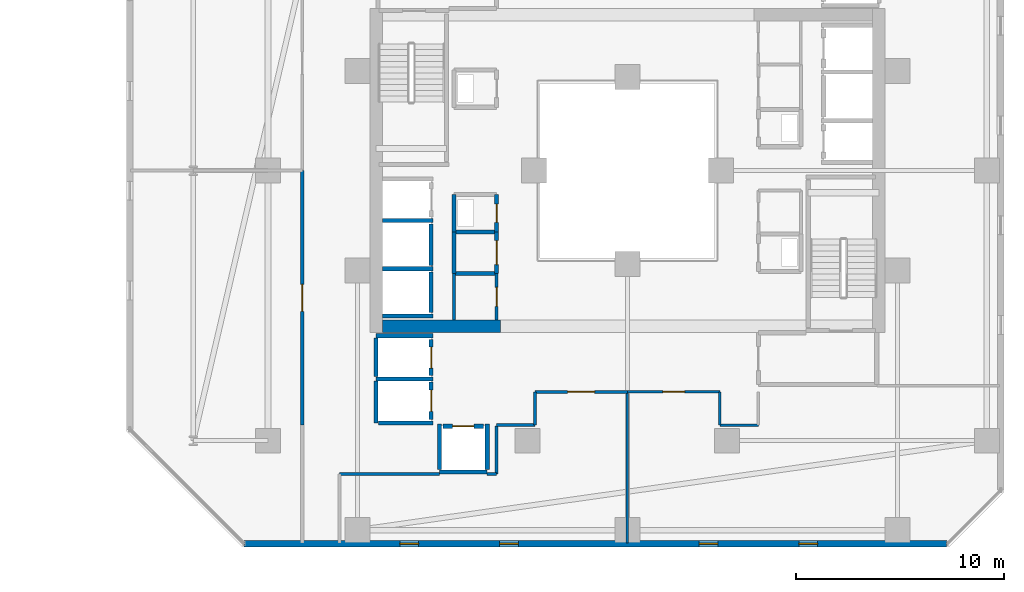
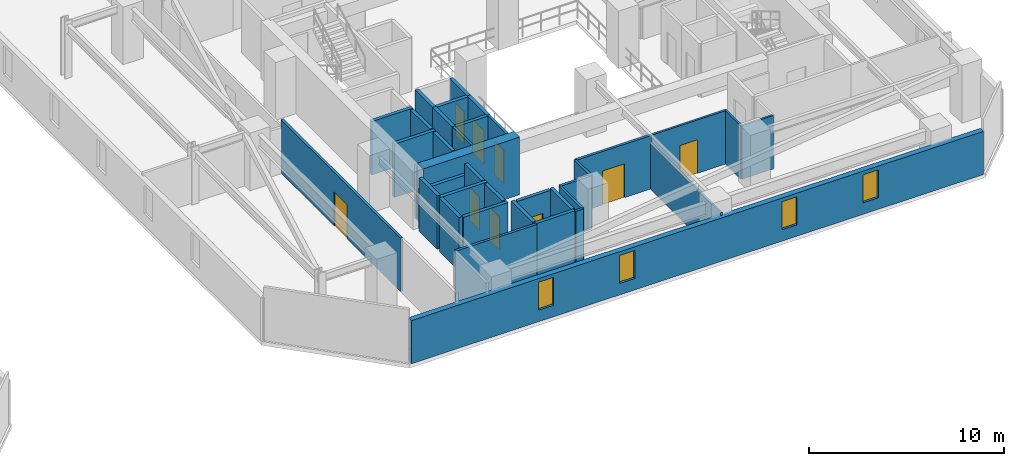
# One storey, part 20 of 29: 37 walls, 9 doors, 4 windows, 13 openings.
"""IFC4 building model written with IfcOpenShell, lengths in metres."""

import ifcopenshell
import ifcopenshell.guid

model = None  # the IFC model being written
_history = None  # IfcOwnerHistory: only IFC2X3 demands one
_inside = {}  # id of a spatial element -> (the spatial element, [elements in it])
_under = {}  # id of a project, library or spatial element -> (it, [spatial elements below it])
_declared = {}  # id of a project -> (the project, [libraries it declares])
_typed = {}  # id of a type object -> (the type object, [elements of that type])
_made_of = {}  # id of a material, layer set ... -> (it, [elements and type objects made of it])


def new_model(schema):
    """Start an empty IFC model of exactly this schema.

    Asked for "IFC4X3", IfcOpenShell would pick the latest addendum, in which some entities
    have other attributes; the version numbers below select the first issue.
    IFC2X3 requires an IfcOwnerHistory on every rooted entity: one is made here for all.
    """
    global model, _history
    if schema == "IFC4X3":
        model = ifcopenshell.file(schema_version=(4, 3, 0, 0))
    else:
        model = ifcopenshell.file(schema=schema)
    _inside.clear()
    _under.clear()
    _declared.clear()
    _typed.clear()
    _made_of.clear()
    _history = None
    if model.schema == "IFC2X3":
        org = make("IfcOrganization", Name="unknown")
        user = make(
            "IfcPersonAndOrganization",
            ThePerson=make("IfcPerson", FamilyName="unknown"),
            TheOrganization=org,
        )
        app = make(
            "IfcApplication",
            ApplicationDeveloper=org,
            Version="unknown",
            ApplicationFullName="unknown",
            ApplicationIdentifier="unknown",
        )
        _history = make(
            "IfcOwnerHistory",
            OwningUser=user,
            OwningApplication=app,
            ChangeAction="ADDED",
            CreationDate=0,
        )
    return model


def make(cls, **values):
    """One entity of the class cls with the attributes given. An attribute that is None is left unset."""
    return model.create_entity(
        cls, **{name: value for name, value in values.items() if value is not None}
    )


def rooted(cls, **values):
    """An entity with a GlobalId (a new one), such as an element, a storey or a relation."""
    return make(cls, GlobalId=ifcopenshell.guid.new(), OwnerHistory=_history, **values)


def si_unit(unit_type, name, prefix=None):
    """IfcSIUnit, for example si_unit("LENGTHUNIT", "METRE", prefix="MILLI")."""
    return make("IfcSIUnit", UnitType=unit_type, Prefix=prefix, Name=name)


def assignment(units):
    """IfcUnitAssignment: the units of a project."""
    return None if units is None else make("IfcUnitAssignment", Units=units)


def point(xyz):
    """IfcCartesianPoint."""
    return None if xyz is None else make("IfcCartesianPoint", Coordinates=xyz)


def direction(xyz):
    """IfcDirection."""
    return None if xyz is None else make("IfcDirection", DirectionRatios=xyz)


def frame(location, z_axis=None, x_axis=None):
    """IfcAxis2Placement3D, a coordinate frame: its origin and axes. An axis left out is left unset."""
    return make(
        "IfcAxis2Placement3D",
        Location=point(location),
        Axis=direction(z_axis),
        RefDirection=direction(x_axis),
    )


def frame_2d(location, x_axis=None):
    """IfcAxis2Placement2D, a coordinate frame in the plane: its origin and x axis."""
    return make(
        "IfcAxis2Placement2D", Location=point(location), RefDirection=direction(x_axis)
    )


def origin():
    """The frame at (0, 0, 0) with its axes left unset."""
    return frame((0.0, 0.0, 0.0))


def place(relative_to, where):
    """IfcLocalPlacement: puts the frame where relative to a parent placement (None: the world)."""
    return make(
        "IfcLocalPlacement", PlacementRelTo=relative_to, RelativePlacement=where
    )


def context(
    kind, dimensions, precision=None, world=None, true_north=None, identifier=None
):
    """IfcGeometricRepresentationContext, for example the 3D "Model" context."""
    return make(
        "IfcGeometricRepresentationContext",
        ContextIdentifier=identifier,
        ContextType=kind,
        CoordinateSpaceDimension=dimensions,
        Precision=precision,
        WorldCoordinateSystem=world,
        TrueNorth=true_north,
    )


def subcontext(parent, identifier, kind, view, scale=None):
    """IfcGeometricRepresentationSubContext, for example "Body" below "Model"."""
    return make(
        "IfcGeometricRepresentationSubContext",
        ContextIdentifier=identifier,
        ContextType=kind,
        ParentContext=parent,
        TargetScale=scale,
        TargetView=view,
    )


def project(units=None, contexts=None):
    """IfcProject with its units and contexts."""
    return rooted(
        "IfcProject",
        Name="project",
        RepresentationContexts=contexts,
        UnitsInContext=assignment(units),
    )


def spatial(cls, under=None, at=None, **own):
    """A site, building, storey or space (cls), placed at a placement, below another one or the project."""
    s = rooted(cls, ObjectPlacement=at, **own)
    if under is not None:
        _under.setdefault(under.id(), (under, []))[1].append(s)
    return s


def profile(cls, at=None, kind="AREA", **sizes):
    """A parametric profile (cls). Its sizes go by their IFC names, for example OverallWidth=200.0."""
    return make(cls, ProfileType=kind, Position=at, **sizes)


def rectangle(**sizes):
    """IfcRectangleProfileDef."""
    return profile("IfcRectangleProfileDef", **sizes)


def extrude(swept, where, along, depth):
    """IfcExtrudedAreaSolid: the profile swept, set in the frame where, extruded along a direction by depth."""
    return make(
        "IfcExtrudedAreaSolid",
        SweptArea=swept,
        Position=where,
        ExtrudedDirection=direction(along),
        Depth=depth,
    )


def shape(context_of_items, identifier, shape_type, items):
    """IfcShapeRepresentation: the items that make up one representation, for example the "Body"."""
    return make(
        "IfcShapeRepresentation",
        ContextOfItems=context_of_items,
        RepresentationIdentifier=identifier,
        RepresentationType=shape_type,
        Items=items,
    )


def material(Name=None, Category=None):
    """IfcMaterial."""
    return make("IfcMaterial", Name=Name, Category=Category)


def layer(
    of_material, thickness, ventilated=None, Name=None, Category=None, Priority=None
):
    """IfcMaterialLayer: one layer of a wall or slab, of a material (None: an air gap)."""
    return make(
        "IfcMaterialLayer",
        Material=of_material,
        LayerThickness=thickness,
        IsVentilated=ventilated,
        Name=Name,
        Category=Category,
        Priority=Priority,
    )


def layer_set(layers, Name=None):
    """IfcMaterialLayerSet."""
    return make("IfcMaterialLayerSet", MaterialLayers=layers, LayerSetName=Name)


def made_of(thing, what):
    """Note that an element or type object is made of a material, layer set ...; save() writes the relation."""
    if what is not None:
        _made_of.setdefault(what.id(), (what, []))[1].append(thing)
    return thing


def type_object(cls, material=None, **own):
    """A type object (cls), such as IfcWallType, which elements share."""
    return made_of(rooted(cls, **own), material)


def element(
    cls,
    number,
    at=None,
    inside=None,
    cuts=None,
    type_object=None,
    material=None,
    context=None,
    identifier="Body",
    shape_type=None,
    held_by="IfcProductDefinitionShape",
    body=None,
    shapes=None,
    **own,
):
    """One element of the class cls, such as IfcWall. Its Tag is "e" and its number.

    at: its placement. inside: the storey or other place that contains it. cuts: it is an
    opening in that element (IfcRelVoidsElement). A single representation is given by context,
    identifier, shape_type and body (its items); several are given by shapes. held_by: the class
    of the entity that holds the representations. save() writes the other relations.
    """
    e = rooted(cls, Tag="e%d" % number, ObjectPlacement=at, **own)
    if body is not None:
        shapes = [shape(context, identifier, shape_type, body)]
    if shapes is not None:
        e.Representation = make(held_by, Representations=shapes)
    if inside is not None:
        _inside.setdefault(inside.id(), (inside, []))[1].append(e)
    if cuts is not None:
        rooted(
            "IfcRelVoidsElement", RelatingBuildingElement=cuts, RelatedOpeningElement=e
        )
    if type_object is not None:
        _typed.setdefault(type_object.id(), (type_object, []))[1].append(e)
    return made_of(e, material)


def fill(opening, filler):
    """IfcRelFillsElement: the door or window that sits in an opening."""
    return rooted(
        "IfcRelFillsElement",
        RelatingOpeningElement=opening,
        RelatedBuildingElement=filler,
    )


def aggregate(whole, parts):
    """IfcRelAggregates: a whole, such as a stair, and the parts it consists of."""
    return rooted("IfcRelAggregates", RelatingObject=whole, RelatedObjects=parts)


def save(model, path):
    """Write the relations noted so far, then the file.

    IfcRelAggregates (storeys below a building ...), IfcRelContainedInSpatialStructure (elements
    in a storey), IfcRelDefinesByType, IfcRelAssociatesMaterial and IfcRelDeclares: one each for
    every whole, place, type object, material and project.
    """
    for whole, parts in _under.values():
        aggregate(whole, parts)
    for where, things in _inside.values():
        rooted(
            "IfcRelContainedInSpatialStructure",
            RelatedElements=things,
            RelatingStructure=where,
        )
    for kind, things in _typed.values():
        rooted("IfcRelDefinesByType", RelatedObjects=things, RelatingType=kind)
    for what, things in _made_of.values():
        rooted("IfcRelAssociatesMaterial", RelatedObjects=things, RelatingMaterial=what)
    for by, libraries in _declared.values():
        rooted("IfcRelDeclares", RelatingContext=by, RelatedDefinitions=libraries)
    model.write(path)


model = new_model("IFC4")

# Units and contexts
model_context = context("Model", 3, precision=1e-05, world=origin(), true_north=direction((0.0, 1.0)))
body_context = subcontext(model_context, "Body", "Model", "MODEL_VIEW")
ifc_project = project(units=[si_unit("LENGTHUNIT", "METRE"), si_unit("AREAUNIT", "SQUARE_METRE"), si_unit("VOLUMEUNIT", "CUBIC_METRE"), si_unit("PLANEANGLEUNIT", "RADIAN"), si_unit("MASSUNIT", "GRAM", prefix="KILO")], contexts=[model_context])

# Site, building, storey
site_placement = place(None, origin())
site = spatial("IfcSite", under=ifc_project, at=site_placement, CompositionType="ELEMENT")
building_placement = place(site_placement, origin())
building = spatial("IfcBuilding", under=site, at=building_placement, Name="Thornwick Lancets Civic Towers", CompositionType="ELEMENT")
storey_placement = place(building_placement, frame((0.0, 0.0, 83.699951171875)))
storey = spatial("IfcBuildingStorey", under=building, at=storey_placement, Name="L21", CompositionType="ELEMENT", Elevation=83.699951171875)

# Walls
ifc_material_1 = material(Name="Concrete blockwork C40/50", Category="masonry")
ifc_layer_1 = layer(ifc_material_1, 0.199951171875, Name="Concrete blockwork C40/50")
ifc_layer_set_1 = layer_set([ifc_layer_1], Name="Concrete blockwork C40/50")
wall_type_1 = type_object("IfcWallType", Name="WALL_COMP_200", PredefinedType="STANDARD", material=ifc_layer_set_1)
wall_1_placement = place(storey_placement, frame((79.050048828125, 22.429931640625, 0.0), z_axis=(0.0, 0.0, 1.0), x_axis=(0.0, 1.0, 0.0)))
element("IfcWall", 1, at=wall_1_placement, inside=storey, type_object=wall_type_1, Name="L21 Hoistway Front Wall PL-BH2", PredefinedType="STANDARD", context=body_context, shape_type="SweptSolid", body=[
    extrude(rectangle(XDim=1.989990234375, YDim=0.199951171875, at=frame_2d((0.9951171875, 0.0))), origin(), (0.0, 0.0, 1.0), 3.340087890625),
])
wall_2_placement = place(storey_placement, frame((79.050048828125, 20.179931640625, 0.0), z_axis=(0.0, 0.0, 1.0), x_axis=(0.0, 1.0, 0.0)))
element("IfcWall", 2, at=wall_2_placement, inside=storey, type_object=wall_type_1, Name="L21 Hoistway Front Wall PL-BH3", PredefinedType="STANDARD", context=body_context, shape_type="SweptSolid", body=[
    extrude(rectangle(XDim=1.940185546875, YDim=0.199951171875, at=frame_2d((0.97021484375, 0.0))), origin(), (0.0, 0.0, 1.0), 3.340087890625),
])

# Wall, opening, door
wall_3_placement = place(storey_placement, frame((79.050048828125, 17.1298828125, 0.0), z_axis=(0.0, 0.0, 1.0), x_axis=(0.0, 1.0, 0.0)))
wall_3 = element("IfcWall", 3, at=wall_3_placement, inside=storey, type_object=wall_type_1, Name="L21 Hoistway Front Wall PL-BM1", PredefinedType="STANDARD", context=body_context, shape_type="SweptSolid", body=[
    extrude(rectangle(XDim=1.740234375, YDim=0.199951171875, at=frame_2d((0.8701171875, 0.0))), origin(), (0.0, 0.0, 1.0), 3.340087890625),
])
opening_1_placement = place(wall_3_placement, frame((0.360107421875, 0.0, 0.0)))
opening_1 = element("IfcOpeningElement", 4, at=opening_1_placement, cuts=wall_3, Name="Opening LD-PL-BM1", PredefinedType="OPENING", context=body_context, shape_type="SweptSolid", body=[
    extrude(rectangle(XDim=1.02001953125, YDim=2.06005859375, at=frame_2d((0.510009765625, 1.030029296875))), frame((0.0, 0.10986328125, 0.0), z_axis=(0.0, -1.0, 0.0), x_axis=(1.0, 0.0, 0.0)), (0.0, 0.0, 1.0), 0.219970703125),
])
ifc_material_2 = material(Name="Brushed bronze stainless steel", Category="steel")
door_type_1 = type_object("IfcDoorType", Name="DOOR_LIFT_SLIDE", OperationType="SLIDING_TO_LEFT", PredefinedType="DOOR", material=ifc_material_2)
door_1_placement = place(opening_1_placement, origin())
door_1 = element("IfcDoor", 5, at=door_1_placement, inside=storey, type_object=door_type_1, Name="L21 Sliding Lift Landing Door LD-PL-BM1", OperationType="SLIDING_TO_LEFT", OverallHeight=2.06005859375, OverallWidth=1.02001953125, PredefinedType="DOOR", context=body_context, shape_type="SweptSolid", body=[
    extrude(rectangle(XDim=1.02001953125, YDim=2.06005859375, at=frame_2d((0.510009765625, 1.030029296875))), frame((0.0, 0.02490234375, 0.0), z_axis=(0.0, -1.0, 0.0), x_axis=(1.0, 0.0, 0.0)), (0.0, 0.0, 1.0), 0.050048828125),
])
fill(opening_1, door_1)

wall_4_placement = place(storey_placement, frame((79.050048828125, 15.030029296875, 0.0), z_axis=(0.0, 0.0, 1.0), x_axis=(0.0, 1.0, 0.0)))
wall_4 = element("IfcWall", 6, at=wall_4_placement, inside=storey, type_object=wall_type_1, Name="L21 Hoistway Front Wall PL-BM2", PredefinedType="STANDARD", context=body_context, shape_type="SweptSolid", body=[
    extrude(rectangle(XDim=1.7900390625, YDim=0.199951171875, at=frame_2d((0.89501953125, 0.0))), origin(), (0.0, 0.0, 1.0), 3.340087890625),
])
opening_2_placement = place(wall_4_placement, frame((0.385009765625, 0.0, 0.0)))
opening_2 = element("IfcOpeningElement", 7, at=opening_2_placement, cuts=wall_4, Name="Opening LD-PL-BM2", PredefinedType="OPENING", context=body_context, shape_type="SweptSolid", body=[
    extrude(rectangle(XDim=1.02001953125, YDim=2.06005859375, at=frame_2d((0.510009765625, 1.030029296875))), frame((0.0, 0.10986328125, 0.0), z_axis=(0.0, -1.0, 0.0), x_axis=(1.0, 0.0, 0.0)), (0.0, 0.0, 1.0), 0.219970703125),
])
door_2_placement = place(opening_2_placement, origin())
door_2 = element("IfcDoor", 8, at=door_2_placement, inside=storey, type_object=door_type_1, Name="L21 Sliding Lift Landing Door LD-PL-BM2", OperationType="SLIDING_TO_LEFT", OverallHeight=2.06005859375, OverallWidth=1.02001953125, PredefinedType="DOOR", context=body_context, shape_type="SweptSolid", body=[
    extrude(rectangle(XDim=1.02001953125, YDim=2.06005859375, at=frame_2d((0.510009765625, 1.030029296875))), frame((0.0, 0.02490234375, 0.0), z_axis=(0.0, -1.0, 0.0), x_axis=(1.0, 0.0, 0.0)), (0.0, 0.0, 1.0), 0.050048828125),
])
fill(opening_2, door_2)

wall_5_placement = place(storey_placement, frame((79.6298828125, 14.699951171875, 0.0), z_axis=(0.0, 0.0, 1.0), x_axis=(1.0, 0.0, 0.0)))
wall_5 = element("IfcWall", 9, at=wall_5_placement, inside=storey, type_object=wall_type_1, Name="L21 Hoistway Front Wall PL-BM3", PredefinedType="STANDARD", context=body_context, shape_type="SweptSolid", body=[
    extrude(rectangle(XDim=1.940185546875, YDim=0.199951171875, at=frame_2d((0.97021484375, 0.0))), origin(), (0.0, 0.0, 1.0), 3.340087890625),
])
opening_3_placement = place(wall_5_placement, frame((0.4599609375, 0.0, 0.0)))
opening_3 = element("IfcOpeningElement", 10, at=opening_3_placement, cuts=wall_5, Name="Opening LD-PL-BM3", PredefinedType="OPENING", context=body_context, shape_type="SweptSolid", body=[
    extrude(rectangle(XDim=1.02001953125, YDim=2.06005859375, at=frame_2d((0.510009765625, 1.030029296875))), frame((0.0, 0.10986328125, 0.0), z_axis=(0.0, -1.0, 0.0), x_axis=(1.0, 0.0, 0.0)), (0.0, 0.0, 1.0), 0.219970703125),
])
door_3_placement = place(opening_3_placement, origin())
door_3 = element("IfcDoor", 11, at=door_3_placement, inside=storey, type_object=door_type_1, Name="L21 Sliding Lift Landing Door LD-PL-BM3", OperationType="SLIDING_TO_LEFT", OverallHeight=2.06005859375, OverallWidth=1.02001953125, PredefinedType="DOOR", context=body_context, shape_type="SweptSolid", body=[
    extrude(rectangle(XDim=1.02001953125, YDim=2.06005859375, at=frame_2d((0.510009765625, 1.030029296875))), frame((0.0, 0.02490234375, 0.0), z_axis=(0.0, -1.0, 0.0), x_axis=(1.0, 0.0, 0.0)), (0.0, 0.0, 1.0), 0.050048828125),
])
fill(opening_3, door_3)

# Walls
for number, where, z_axis, x_axis, name in (
    (12, (76.7119140625, 24.60009765625, 0.0), (0.0, 0.0, 1.0), (1.0, 0.0, 0.0), "L21 Hoistway Shaft Wall FL-B2 S"),
    (13, (76.7119140625, 22.27490234375, 0.0), (0.0, 0.0, 1.0), (1.0, 0.0, 0.0), "L21 Hoistway Shaft Wall PL-BH2 S"),
    (14, (76.7119140625, 20.0, 0.0), (0.0, 0.0, 1.0), (1.0, 0.0, 0.0), "L21 Hoistway Shaft Wall PL-BH3 S"),
):
    element("IfcWall", number, at=place(storey_placement, frame(where, z_axis=z_axis, x_axis=x_axis)), inside=storey, type_object=wall_type_1, Name=name, PredefinedType="STANDARD", context=body_context, shape_type="SweptSolid", body=[
        extrude(rectangle(XDim=2.43603515625, YDim=0.199951171875, at=frame_2d((1.218017578125, 0.0))), origin(), (0.0, 0.0, 1.0), 3.340087890625),
    ])
wall_6_placement = place(storey_placement, frame((76.402099609375, 19.050048828125, 0.0), z_axis=(0.0, 0.0, 1.0), x_axis=(1.0, 0.0, 0.0)))
element("IfcWall", 15, at=wall_6_placement, inside=storey, type_object=wall_type_1, Name="L21 Hoistway Shaft Wall PL-BM1 N", PredefinedType="STANDARD", context=body_context, shape_type="SweptSolid", body=[
    extrude(rectangle(XDim=2.745849609375, YDim=0.199951171875, at=frame_2d((1.373046875, 0.0))), origin(), (0.0, 0.0, 1.0), 2.545166015625),
])
wall_7_placement = place(storey_placement, frame((76.402099609375, 16.97509765625, 0.0), z_axis=(0.0, 0.0, 1.0), x_axis=(1.0, 0.0, 0.0)))
element("IfcWall", 16, at=wall_7_placement, inside=storey, type_object=wall_type_1, Name="L21 Hoistway Shaft Wall PL-BM1 S", PredefinedType="STANDARD", context=body_context, shape_type="SweptSolid", body=[
    extrude(rectangle(XDim=2.745849609375, YDim=0.199951171875, at=frame_2d((1.373046875, 0.0))), origin(), (0.0, 0.0, 1.0), 3.340087890625),
])
wall_8_placement = place(storey_placement, frame((76.39990234375, 14.85205078125, 0.0), z_axis=(0.0, 0.0, 1.0), x_axis=(0.0, 1.0, 0.0)))
element("IfcWall", 17, at=wall_8_placement, inside=storey, type_object=wall_type_1, Name="L21 Hoistway Shaft Wall PL-BM1 W", PredefinedType="STANDARD", context=body_context, shape_type="SweptSolid", body=[
    extrude(rectangle(XDim=2.015869140625, YDim=0.199951171875, at=frame_2d((1.0078125, 0.0))), origin(), (0.0, 0.0, 1.0), 3.340087890625),
])
wall_9_placement = place(storey_placement, frame((76.39990234375, 17.08203125, 0.0), z_axis=(0.0, 0.0, 1.0), x_axis=(0.0, 1.0, 0.0)))
element("IfcWall", 18, at=wall_9_placement, inside=storey, type_object=wall_type_1, Name="L21 Hoistway Shaft Wall PL-BM1 W", PredefinedType="STANDARD", context=body_context, shape_type="SweptSolid", body=[
    extrude(rectangle(XDim=1.85595703125, YDim=0.199951171875, at=frame_2d((0.927978515625, 0.0))), origin(), (0.0, 0.0, 1.0), 3.340087890625),
])
wall_10_placement = place(storey_placement, frame((76.511962890625, 14.85009765625, 0.0), z_axis=(0.0, 0.0, 1.0), x_axis=(1.0, 0.0, 0.0)))
element("IfcWall", 19, at=wall_10_placement, inside=storey, type_object=wall_type_1, Name="L21 Hoistway Shaft Wall PL-BM2 S", PredefinedType="STANDARD", context=body_context, shape_type="SweptSolid", body=[
    extrude(rectangle(XDim=2.635986328125, YDim=0.199951171875, at=frame_2d((1.31787109375, 0.0))), origin(), (0.0, 0.0, 1.0), 3.340087890625),
])
wall_11_placement = place(storey_placement, frame((79.451904296875, 12.5, 0.0), z_axis=(0.0, 0.0, 1.0), x_axis=(1.0, 0.0, 0.0)))
element("IfcWall", 20, at=wall_11_placement, inside=storey, type_object=wall_type_1, Name="L21 Hoistway Shaft Wall PL-BM3 S", PredefinedType="STANDARD", context=body_context, shape_type="SweptSolid", body=[
    extrude(rectangle(XDim=2.296142578125, YDim=0.199951171875, at=frame_2d((1.14794921875, 0.0))), origin(), (0.0, 0.0, 1.0), 3.340087890625),
])
for number, where, z_axis, x_axis, name in (
    (21, (81.75, 12.612060546875, 0.0), (0.0, 0.0, 1.0), (0.0, 1.0, 0.0), "L21 Hoistway Shaft Wall PL-BM3 E"),
    (22, (79.449951171875, 12.612060546875, 0.0), (0.0, 0.0, 1.0), (0.0, 1.0, 0.0), "L21 Hoistway Shaft Wall PL-BM3 W"),
):
    element("IfcWall", number, at=place(storey_placement, frame(where, z_axis=z_axis, x_axis=x_axis)), inside=storey, type_object=wall_type_1, Name=name, PredefinedType="STANDARD", context=body_context, shape_type="SweptSolid", body=[
        extrude(rectangle(XDim=2.18603515625, YDim=0.199951171875, at=frame_2d((1.093017578125, 0.0))), origin(), (0.0, 0.0, 1.0), 3.340087890625),
    ])
wall_12_placement = place(storey_placement, frame((80.14990234375, 24.050048828125, 0.0), z_axis=(0.0, 0.0, 1.0), x_axis=(1.0, 0.0, 0.0)))
element("IfcWall", 23, at=wall_12_placement, inside=storey, type_object=wall_type_1, Name="L21 Partition L21-B-DUCT2 E1", PredefinedType="STANDARD", context=body_context, shape_type="SweptSolid", body=[
    extrude(rectangle(XDim=2.050048828125, YDim=0.199951171875, at=frame_2d((1.02490234375, 0.0))), origin(), (0.0, 0.0, 1.0), 3.340087890625),
])

# Wall, opening, door
wall_13_placement = place(storey_placement, frame((82.199951171875, 24.050048828125, 0.0), z_axis=(0.0, 0.0, 1.0), x_axis=(0.0, 1.0, 0.0)))
wall_13 = element("IfcWall", 24, at=wall_13_placement, inside=storey, type_object=wall_type_1, Name="L21 Partition L21-B-DUCT2 E2", PredefinedType="STANDARD", context=body_context, shape_type="SweptSolid", body=[
    extrude(rectangle(XDim=1.800048828125, YDim=0.199951171875, at=frame_2d((0.89990234375, 0.0))), origin(), (0.0, 0.0, 1.0), 3.340087890625),
])
opening_4_placement = place(wall_13_placement, frame((0.4599609375, 0.0, 0.0)))
opening_4 = element("IfcOpeningElement", 25, at=opening_4_placement, cuts=wall_13, Name="Opening D-L21-0984", PredefinedType="OPENING", context=body_context, shape_type="SweptSolid", body=[
    extrude(rectangle(XDim=0.8798828125, YDim=2.0400390625, at=frame_2d((0.43994140625, 1.02001953125))), frame((0.0, 0.10986328125, 0.0), z_axis=(0.0, -1.0, 0.0), x_axis=(1.0, 0.0, 0.0)), (0.0, 0.0, 1.0), 0.219970703125),
])
ifc_material_3 = material(Name="Steel riser access doorset", Category="steel")
door_type_2 = type_object("IfcDoorType", Name="DOOR_RISER_850", OperationType="NOTDEFINED", PredefinedType="DOOR", material=ifc_material_3)
door_4_placement = place(opening_4_placement, origin())
door_4 = element("IfcDoor", 26, at=door_4_placement, inside=storey, type_object=door_type_2, Name="L21 West Service Duct 2 Door", OperationType="SINGLE_SWING_LEFT", OverallHeight=2.0400390625, OverallWidth=0.8798828125, PredefinedType="DOOR", context=body_context, shape_type="SweptSolid", body=[
    extrude(rectangle(XDim=0.8798828125, YDim=2.0400390625, at=frame_2d((0.43994140625, 1.02001953125))), frame((0.0, 0.02490234375, 0.0), z_axis=(0.0, -1.0, 0.0), x_axis=(1.0, 0.0, 0.0)), (0.0, 0.0, 1.0), 0.050048828125),
])
fill(opening_4, door_4)

# Walls
wall_14_placement = place(storey_placement, frame((80.14990234375, 25.85009765625, 0.0), z_axis=(0.0, 0.0, 1.0), x_axis=(0.0, -1.0, 0.0)))
element("IfcWall", 27, at=wall_14_placement, inside=storey, type_object=wall_type_1, Name="L21 Partition L21-B-DUCT2 E4", PredefinedType="STANDARD", context=body_context, shape_type="SweptSolid", body=[
    extrude(rectangle(XDim=1.800048828125, YDim=0.199951171875, at=frame_2d((0.89990234375, 0.0))), origin(), (0.0, 0.0, 1.0), 3.340087890625),
])
wall_15_placement = place(storey_placement, frame((80.14990234375, 22.050048828125, 0.0), z_axis=(0.0, 0.0, 1.0), x_axis=(0.0, 1.0, 0.0)))
element("IfcWall", 28, at=wall_15_placement, inside=storey, type_object=wall_type_1, Name="L21 Partition L21-B-STR E1", PredefinedType="STANDARD", context=body_context, shape_type="SweptSolid", body=[
    extrude(rectangle(XDim=2.0, YDim=0.199951171875, at=frame_2d((1.0, 0.0))), origin(), (0.0, 0.0, 1.0), 3.340087890625),
])

# Wall, opening, door
wall_16_placement = place(storey_placement, frame((82.199951171875, 24.050048828125, 0.0), z_axis=(0.0, 0.0, 1.0), x_axis=(0.0, -1.0, 0.0)))
wall_16 = element("IfcWall", 29, at=wall_16_placement, inside=storey, type_object=wall_type_1, Name="L21 Partition L21-B-STR E3", PredefinedType="STANDARD", context=body_context, shape_type="SweptSolid", body=[
    extrude(rectangle(XDim=2.0, YDim=0.199951171875, at=frame_2d((1.0, 0.0))), origin(), (0.0, 0.0, 1.0), 3.340087890625),
])
opening_5_placement = place(wall_16_placement, frame((0.425048828125, 0.0, 0.0)))
opening_5 = element("IfcOpeningElement", 30, at=opening_5_placement, cuts=wall_16, Name="Opening D-L21-0990", PredefinedType="OPENING", context=body_context, shape_type="SweptSolid", body=[
    extrude(rectangle(XDim=1.14990234375, YDim=2.10009765625, at=frame_2d((0.574951171875, 1.050048828125))), frame((0.0, 0.10986328125, 0.0), z_axis=(0.0, -1.0, 0.0), x_axis=(1.0, 0.0, 0.0)), (0.0, 0.0, 1.0), 0.219970703125),
])
ifc_material_4 = material(Name="Glazed fire-resisting steel", Category="steel")
door_type_3 = type_object("IfcDoorType", Name="DOOR_LOBBY_FD60", OperationType="NOTDEFINED", PredefinedType="DOOR", material=ifc_material_4)
door_5_placement = place(opening_5_placement, origin())
door_5 = element("IfcDoor", 31, at=door_5_placement, inside=storey, type_object=door_type_3, Name="L21 Tower B Core Records Store Door", OperationType="SINGLE_SWING_LEFT", OverallHeight=2.10009765625, OverallWidth=1.14990234375, PredefinedType="DOOR", context=body_context, shape_type="SweptSolid", body=[
    extrude(rectangle(XDim=1.14990234375, YDim=2.10009765625, at=frame_2d((0.574951171875, 1.050048828125))), frame((0.0, 0.02490234375, 0.0), z_axis=(0.0, -1.0, 0.0), x_axis=(1.0, 0.0, 0.0)), (0.0, 0.0, 1.0), 0.050048828125),
])
fill(opening_5, door_5)

# Walls
wall_17_placement = place(storey_placement, frame((82.199951171875, 22.050048828125, 0.0), z_axis=(0.0, 0.0, 1.0), x_axis=(-1.0, 0.0, 0.0)))
element("IfcWall", 32, at=wall_17_placement, inside=storey, type_object=wall_type_1, Name="L21 Partition L21-B-STR E4", PredefinedType="STANDARD", context=body_context, shape_type="SweptSolid", body=[
    extrude(rectangle(XDim=2.050048828125, YDim=0.199951171875, at=frame_2d((1.02490234375, 0.0))), origin(), (0.0, 0.0, 1.0), 3.340087890625),
])
ifc_material_5 = material(Name="Concrete C60/75", Category="concrete")
ifc_layer_2 = layer(ifc_material_5, 0.60009765625, Name="Concrete C60/75")
ifc_layer_set_2 = layer_set([ifc_layer_2], Name="Concrete C60/75")
wall_type_2 = type_object("IfcWallType", Name="WALL_CORE_600", PredefinedType="SHEAR", material=ifc_layer_set_2)
wall_18_placement = place(storey_placement, frame((76.699951171875, 19.5, 0.0), z_axis=(0.0, 0.0, 1.0), x_axis=(1.0, 0.0, 0.0)))
element("IfcWall", 33, at=wall_18_placement, inside=storey, type_object=wall_type_2, Name="L21 Split Core B2 Shear Wall S", PredefinedType="SHEAR", context=body_context, shape_type="SweptSolid", body=[
    extrude(rectangle(XDim=5.699951171875, YDim=0.60009765625, at=frame_2d((2.85009765625, 0.0))), origin(), (0.0, 0.0, 1.0), 3.60009765625),
])

# Wall, openings, windows
ifc_material_6 = material(Name="Insulated buff terracotta rainscreen on concrete C40/50", Category="masonry")
ifc_layer_3 = layer(ifc_material_6, 0.320068359375, Name="Insulated buff terracotta rainscreen on concrete C40/50")
ifc_layer_set_3 = layer_set([ifc_layer_3], Name="Insulated buff terracotta rainscreen on concrete C40/50")
wall_type_3 = type_object("IfcWallType", Name="WALL_EXT_TERRA_320", PredefinedType="STANDARD", material=ifc_layer_set_3)
wall_19_placement = place(storey_placement, frame((70.0517578125, 9.044921875, 0.0), z_axis=(0.0, 0.0, 1.0), x_axis=(0.999999960392, -0.000281454314, 0.0)))
wall_19 = element("IfcWall", 34, at=wall_19_placement, inside=storey, type_object=wall_type_3, Name="L21 Tower B Terracotta Facade Wall E0", PredefinedType="STANDARD", context=body_context, shape_type="SweptSolid", body=[
    extrude(rectangle(XDim=33.82958984375, YDim=0.320068359375, at=frame_2d((16.914794921875, 0.0))), origin(), (0.0, 0.0, 1.0), 2.699951171875),
])
opening_6_placement = place(wall_19_placement, frame((7.5, 0.0, 0.719970703125)))
opening_6 = element("IfcOpeningElement", 35, at=opening_6_placement, cuts=wall_19, Name="Opening WL-01", PredefinedType="OPENING", context=body_context, shape_type="SweptSolid", body=[
    extrude(rectangle(XDim=0.89990234375, YDim=1.75, at=frame_2d((0.449951171875, 0.875))), frame((0.0, 0.169921875, 0.0), z_axis=(0.0, -1.0, 0.0), x_axis=(1.0, 0.0, 0.0)), (0.0, 0.0, 1.0), 0.340087890625),
])
opening_7_placement = place(wall_19_placement, frame((12.300048828125, 0.0, 0.719970703125)))
opening_7 = element("IfcOpeningElement", 36, at=opening_7_placement, cuts=wall_19, Name="Opening WL-01", PredefinedType="OPENING", context=body_context, shape_type="SweptSolid", body=[
    extrude(rectangle(XDim=0.89990234375, YDim=1.75, at=frame_2d((0.449951171875, 0.875))), frame((0.0, 0.169921875, 0.0), z_axis=(0.0, -1.0, 0.0), x_axis=(1.0, 0.0, 0.0)), (0.0, 0.0, 1.0), 0.340087890625),
])
opening_8_placement = place(wall_19_placement, frame((21.89990234375, 0.0, 0.719970703125)))
opening_8 = element("IfcOpeningElement", 37, at=opening_8_placement, cuts=wall_19, Name="Opening WL-01", PredefinedType="OPENING", context=body_context, shape_type="SweptSolid", body=[
    extrude(rectangle(XDim=0.89990234375, YDim=1.75, at=frame_2d((0.449951171875, 0.875))), frame((0.0, 0.169921875, 0.0), z_axis=(0.0, -1.0, 0.0), x_axis=(1.0, 0.0, 0.0)), (0.0, 0.0, 1.0), 0.340087890625),
])
opening_9_placement = place(wall_19_placement, frame((26.699951171875, 0.0, 0.719970703125)))
opening_9 = element("IfcOpeningElement", 38, at=opening_9_placement, cuts=wall_19, Name="Opening WL-01", PredefinedType="OPENING", context=body_context, shape_type="SweptSolid", body=[
    extrude(rectangle(XDim=0.89990234375, YDim=1.75, at=frame_2d((0.449951171875, 0.875))), frame((0.0, 0.169921875, 0.0), z_axis=(0.0, -1.0, 0.0), x_axis=(1.0, 0.0, 0.0)), (0.0, 0.0, 1.0), 0.340087890625),
])
ifc_material_7 = material(Name="Clear low-e double glazing in bronze frame", Category="glass")
window_type = type_object("IfcWindowType", Name="WIN_LANCET_900", PartitioningType="SINGLE_PANEL", PredefinedType="WINDOW", material=ifc_material_7)
window_1_placement = place(opening_6_placement, origin())
window_1 = element("IfcWindow", 39, at=window_1_placement, inside=storey, type_object=window_type, Name="L21 Tower B Staggered Lancet Window E0-1", OverallHeight=1.75, OverallWidth=0.89990234375, PartitioningType="SINGLE_PANEL", PredefinedType="WINDOW", context=body_context, shape_type="SweptSolid", body=[
    extrude(rectangle(XDim=0.89990234375, YDim=1.75, at=frame_2d((0.449951171875, 0.875))), frame((0.0, 0.030029296875, 0.0), z_axis=(0.0, -1.0, 0.0), x_axis=(1.0, 0.0, 0.0)), (0.0, 0.0, 1.0), 0.06005859375),
])
fill(opening_6, window_1)
window_2_placement = place(opening_7_placement, origin())
window_2 = element("IfcWindow", 40, at=window_2_placement, inside=storey, type_object=window_type, Name="L21 Tower B Staggered Lancet Window E0-2", OverallHeight=1.75, OverallWidth=0.89990234375, PartitioningType="SINGLE_PANEL", PredefinedType="WINDOW", context=body_context, shape_type="SweptSolid", body=[
    extrude(rectangle(XDim=0.89990234375, YDim=1.75, at=frame_2d((0.449951171875, 0.875))), frame((0.0, 0.030029296875, 0.0), z_axis=(0.0, -1.0, 0.0), x_axis=(1.0, 0.0, 0.0)), (0.0, 0.0, 1.0), 0.06005859375),
])
fill(opening_7, window_2)
window_3_placement = place(opening_8_placement, origin())
window_3 = element("IfcWindow", 41, at=window_3_placement, inside=storey, type_object=window_type, Name="L21 Tower B Staggered Lancet Window E0-3", OverallHeight=1.75, OverallWidth=0.89990234375, PartitioningType="SINGLE_PANEL", PredefinedType="WINDOW", context=body_context, shape_type="SweptSolid", body=[
    extrude(rectangle(XDim=0.89990234375, YDim=1.75, at=frame_2d((0.449951171875, 0.875))), frame((0.0, 0.030029296875, 0.0), z_axis=(0.0, -1.0, 0.0), x_axis=(1.0, 0.0, 0.0)), (0.0, 0.0, 1.0), 0.06005859375),
])
fill(opening_8, window_3)
window_4_placement = place(opening_9_placement, origin())
window_4 = element("IfcWindow", 42, at=window_4_placement, inside=storey, type_object=window_type, Name="L21 Tower B Staggered Lancet Window E0-4", OverallHeight=1.75, OverallWidth=0.89990234375, PartitioningType="SINGLE_PANEL", PredefinedType="WINDOW", context=body_context, shape_type="SweptSolid", body=[
    extrude(rectangle(XDim=0.89990234375, YDim=1.75, at=frame_2d((0.449951171875, 0.875))), frame((0.0, 0.030029296875, 0.0), z_axis=(0.0, -1.0, 0.0), x_axis=(1.0, 0.0, 0.0)), (0.0, 0.0, 1.0), 0.06005859375),
])
fill(opening_9, window_4)

# Walls
ifc_material_8 = material(Name="Acoustic gypsum board partition")
ifc_layer_4 = layer(ifc_material_8, 0.1201171875, Name="Acoustic gypsum board partition")
ifc_layer_set_4 = layer_set([ifc_layer_4], Name="Acoustic gypsum board partition")
wall_type_4 = type_object("IfcWallType", Name="WALL_PART_120", PredefinedType="PARTITIONING", material=ifc_layer_set_4)
wall_20_placement = place(storey_placement, frame((92.949951171875, 16.35009765625, 0.0), z_axis=(0.0, 0.0, 1.0), x_axis=(0.0, -1.0, 0.0)))
element("IfcWall", 43, at=wall_20_placement, inside=storey, type_object=wall_type_4, Name="L21 Partition L21-B-W1 E1", PredefinedType="PARTITIONING", context=body_context, shape_type="SweptSolid", body=[
    extrude(rectangle(XDim=1.60009765625, YDim=0.1201171875, at=frame_2d((0.800048828125, 0.0))), origin(), (0.0, 0.0, 1.0), 3.340087890625),
])
wall_21_placement = place(storey_placement, frame((92.949951171875, 14.75, 0.0), z_axis=(0.0, 0.0, 1.0), x_axis=(1.0, 0.0, 0.0)))
element("IfcWall", 44, at=wall_21_placement, inside=storey, type_object=wall_type_4, Name="L21 Partition L21-B-W1 E2", PredefinedType="PARTITIONING", context=body_context, shape_type="SweptSolid", body=[
    extrude(rectangle(XDim=1.85009765625, YDim=0.1201171875, at=frame_2d((0.925048828125, 0.0))), origin(), (0.0, 0.0, 1.0), 3.340087890625),
])
wall_22_placement = place(storey_placement, frame((88.5, 9.080078125, 0.0), z_axis=(0.0, 0.0, 1.0), x_axis=(0.0, 1.0, 0.0)))
element("IfcWall", 45, at=wall_22_placement, inside=storey, type_object=wall_type_4, Name="L21 Partition L21-B-W1 E9", PredefinedType="PARTITIONING", context=body_context, shape_type="SweptSolid", body=[
    extrude(rectangle(XDim=7.27001953125, YDim=0.1201171875, at=frame_2d((3.635009765625, 0.0))), origin(), (0.0, 0.0, 1.0), 2.881591796875),
])

# Wall, opening, door
wall_23_placement = place(storey_placement, frame((88.5, 16.35009765625, 0.0), z_axis=(0.0, 0.0, 1.0), x_axis=(1.0, 0.0, 0.0)))
wall_23 = element("IfcWall", 46, at=wall_23_placement, inside=storey, type_object=wall_type_4, Name="L21 Partition L21-B-W1 E10", PredefinedType="PARTITIONING", context=body_context, shape_type="SweptSolid", body=[
    extrude(rectangle(XDim=4.449951171875, YDim=0.1201171875, at=frame_2d((2.22509765625, 0.0))), origin(), (0.0, 0.0, 1.0), 3.340087890625),
])
opening_10_placement = place(wall_23_placement, frame((1.699951171875, 0.0, 0.0)))
opening_10 = element("IfcOpeningElement", 47, at=opening_10_placement, cuts=wall_23, Name="Opening D-L21-0997", PredefinedType="OPENING", context=body_context, shape_type="SweptSolid", body=[
    extrude(rectangle(XDim=1.050048828125, YDim=2.10009765625, at=frame_2d((0.52490234375, 1.050048828125))), frame((0.0, 0.070068359375, 0.0), z_axis=(0.0, -1.0, 0.0), x_axis=(1.0, 0.0, 0.0)), (0.0, 0.0, 1.0), 0.14013671875),
])
ifc_material_9 = material(Name="Glazed European oak executive doorset")
door_type_4 = type_object("IfcDoorType", Name="DOOR_OFFICE_1050", OperationType="NOTDEFINED", PredefinedType="DOOR", material=ifc_material_9)
door_6_placement = place(opening_10_placement, origin())
door_6 = element("IfcDoor", 48, at=door_6_placement, inside=storey, type_object=door_type_4, Name="L21 Tower B Ministry Directorate Office W1 Door", OperationType="SINGLE_SWING_RIGHT", OverallHeight=2.10009765625, OverallWidth=1.050048828125, PredefinedType="DOOR", context=body_context, shape_type="SweptSolid", body=[
    extrude(rectangle(XDim=1.050048828125, YDim=2.10009765625, at=frame_2d((0.52490234375, 1.050048828125))), frame((0.0, 0.02490234375, 0.0), z_axis=(0.0, -1.0, 0.0), x_axis=(1.0, 0.0, 0.0)), (0.0, 0.0, 1.0), 0.050048828125),
])
fill(opening_10, door_6)

ifc_material_10 = material(Name="Twin-stud acoustic gypsum board")
ifc_layer_5 = layer(ifc_material_10, 0.14990234375, Name="Twin-stud acoustic gypsum board")
ifc_layer_set_5 = layer_set([ifc_layer_5], Name="Twin-stud acoustic gypsum board")
wall_type_5 = type_object("IfcWallType", Name="WALL_PART_150", PredefinedType="PARTITIONING", material=ifc_layer_set_5)
wall_24_placement = place(storey_placement, frame((82.199951171875, 19.800048828125, 0.0), z_axis=(0.0, 0.0, 1.0), x_axis=(0.0, 1.0, 0.0)))
wall_24 = element("IfcWall", 49, at=wall_24_placement, inside=storey, type_object=wall_type_5, Name="L21 Partition L21-B-AWC E2", PredefinedType="PARTITIONING", context=body_context, shape_type="SweptSolid", body=[
    extrude(rectangle(XDim=2.25, YDim=0.14990234375, at=frame_2d((1.125, 0.0))), origin(), (0.0, 0.0, 1.0), 3.340087890625),
])
opening_11_placement = place(wall_24_placement, frame((0.6650390625, 0.0, 0.0)))
opening_11 = element("IfcOpeningElement", 50, at=opening_11_placement, cuts=wall_24, Name="Opening D-L21-0989", PredefinedType="OPENING", context=body_context, shape_type="SweptSolid", body=[
    extrude(rectangle(XDim=0.919921875, YDim=2.080078125, at=frame_2d((0.4599609375, 1.0400390625))), frame((0.0, 0.0849609375, 0.0), z_axis=(0.0, -1.0, 0.0), x_axis=(1.0, 0.0, 0.0)), (0.0, 0.0, 1.0), 0.169921875),
])
ifc_material_11 = material(Name="Moisture-resistant oak doorset")
door_type_5 = type_object("IfcDoorType", Name="DOOR_WC_900", OperationType="NOTDEFINED", PredefinedType="DOOR", material=ifc_material_11)
door_7_placement = place(opening_11_placement, origin())
door_7 = element("IfcDoor", 51, at=door_7_placement, inside=storey, type_object=door_type_5, Name="L21 Tower B Accessible WC Door", OperationType="SINGLE_SWING_RIGHT", OverallHeight=2.080078125, OverallWidth=0.919921875, PredefinedType="DOOR", context=body_context, shape_type="SweptSolid", body=[
    extrude(rectangle(XDim=0.919921875, YDim=2.080078125, at=frame_2d((0.4599609375, 1.0400390625))), frame((0.0, 0.02490234375, 0.0), z_axis=(0.0, -1.0, 0.0), x_axis=(1.0, 0.0, 0.0)), (0.0, 0.0, 1.0), 0.050048828125),
])
fill(opening_11, door_7)

# Walls
wall_25_placement = place(storey_placement, frame((80.14990234375, 22.050048828125, 0.0), z_axis=(0.0, 0.0, 1.0), x_axis=(0.0, -1.0, 0.0)))
element("IfcWall", 52, at=wall_25_placement, inside=storey, type_object=wall_type_5, Name="L21 Partition L21-B-AWC E4", PredefinedType="PARTITIONING", context=body_context, shape_type="SweptSolid", body=[
    extrude(rectangle(XDim=2.25, YDim=0.14990234375, at=frame_2d((1.125, 0.0))), origin(), (0.0, 0.0, 1.0), 3.340087890625),
])
wall_26_placement = place(storey_placement, frame((82.199951171875, 12.39990234375, 0.0), z_axis=(0.0, 0.0, 1.0), x_axis=(0.0, 1.0, 0.0)))
element("IfcWall", 53, at=wall_26_placement, inside=storey, type_object=wall_type_5, Name="L21 Partition L21-B-W2 E1", PredefinedType="PARTITIONING", context=body_context, shape_type="SweptSolid", body=[
    extrude(rectangle(XDim=2.300048828125, YDim=0.14990234375, at=frame_2d((1.14990234375, 0.0))), origin(), (0.0, 0.0, 1.0), 3.340087890625),
])
wall_27_placement = place(storey_placement, frame((82.199951171875, 14.75, 0.0), z_axis=(0.0, 0.0, 1.0), x_axis=(1.0, 0.0, 0.0)))
element("IfcWall", 54, at=wall_27_placement, inside=storey, type_object=wall_type_5, Name="L21 Partition L21-B-W2 E3", PredefinedType="PARTITIONING", context=body_context, shape_type="SweptSolid", body=[
    extrude(rectangle(XDim=1.85009765625, YDim=0.14990234375, at=frame_2d((0.925048828125, 0.0))), origin(), (0.0, 0.0, 1.0), 3.340087890625),
])
wall_28_placement = place(storey_placement, frame((84.050048828125, 14.75, 0.0), z_axis=(0.0, 0.0, 1.0), x_axis=(0.0, 1.0, 0.0)))
element("IfcWall", 55, at=wall_28_placement, inside=storey, type_object=wall_type_5, Name="L21 Partition L21-B-W2 E4", PredefinedType="PARTITIONING", context=body_context, shape_type="SweptSolid", body=[
    extrude(rectangle(XDim=1.60009765625, YDim=0.14990234375, at=frame_2d((0.800048828125, 0.0))), origin(), (0.0, 0.0, 1.0), 3.340087890625),
])

# Wall, opening, door
wall_29_placement = place(storey_placement, frame((84.050048828125, 16.35009765625, 0.0), z_axis=(0.0, 0.0, 1.0), x_axis=(1.0, 0.0, 0.0)))
wall_29 = element("IfcWall", 56, at=wall_29_placement, inside=storey, type_object=wall_type_5, Name="L21 Partition L21-B-W2 E5", PredefinedType="PARTITIONING", context=body_context, shape_type="SweptSolid", body=[
    extrude(rectangle(XDim=4.449951171875, YDim=0.14990234375, at=frame_2d((2.22509765625, 0.0))), origin(), (0.0, 0.0, 1.0), 3.340087890625),
])
opening_12_placement = place(wall_29_placement, frame((1.574951171875, 0.0, 0.0)))
opening_12 = element("IfcOpeningElement", 57, at=opening_12_placement, cuts=wall_29, Name="Opening D-L21-0998", PredefinedType="OPENING", context=body_context, shape_type="SweptSolid", body=[
    extrude(rectangle(XDim=1.300048828125, YDim=2.1201171875, at=frame_2d((0.64990234375, 1.06005859375))), frame((0.0, 0.0849609375, 0.0), z_axis=(0.0, -1.0, 0.0), x_axis=(1.0, 0.0, 0.0)), (0.0, 0.0, 1.0), 0.169921875),
])
ifc_material_12 = material(Name="Acoustic oak leaf-and-a-half doorset")
door_type_6 = type_object("IfcDoorType", Name="DOOR_MEET_1300", OperationType="DOUBLE_DOOR_SINGLE_SWING", PredefinedType="DOOR", material=ifc_material_12)
door_8_placement = place(opening_12_placement, origin())
door_8 = element("IfcDoor", 58, at=door_8_placement, inside=storey, type_object=door_type_6, Name="L21 Tower B Policy Briefing Room W2 Door", OperationType="DOUBLE_DOOR_SINGLE_SWING", OverallHeight=2.1201171875, OverallWidth=1.300048828125, PredefinedType="DOOR", context=body_context, shape_type="SweptSolid", body=[
    extrude(rectangle(XDim=1.300048828125, YDim=2.1201171875, at=frame_2d((0.64990234375, 1.06005859375))), frame((0.0, 0.02490234375, 0.0), z_axis=(0.0, -1.0, 0.0), x_axis=(1.0, 0.0, 0.0)), (0.0, 0.0, 1.0), 0.050048828125),
])
fill(opening_12, door_8)

# Walls
wall_30_placement = place(storey_placement, frame((74.64990234375, 12.39990234375, 0.0), z_axis=(0.0, 0.0, 1.0), x_axis=(1.0, 0.0, 0.0)))
element("IfcWall", 59, at=wall_30_placement, inside=storey, type_object=wall_type_5, Name="L21 Partition L21-B-W2 E9", PredefinedType="PARTITIONING", context=body_context, shape_type="SweptSolid", body=[
    extrude(rectangle(XDim=4.802001953125, YDim=0.14990234375, at=frame_2d((2.40087890625, 0.0))), origin(), (0.0, 0.0, 1.0), 3.340087890625),
])
wall_31_placement = place(storey_placement, frame((81.748046875, 12.39990234375, 0.0), z_axis=(0.0, 0.0, 1.0), x_axis=(1.0, 0.0, 0.0)))
element("IfcWall", 60, at=wall_31_placement, inside=storey, type_object=wall_type_5, Name="L21 Partition L21-B-W2 E9", PredefinedType="PARTITIONING", context=body_context, shape_type="SweptSolid", body=[
    extrude(rectangle(XDim=0.451904296875, YDim=0.14990234375, at=frame_2d((0.22607421875, 0.0))), origin(), (0.0, 0.0, 1.0), 3.340087890625),
])

# Wall, opening, door
wall_32_placement = place(storey_placement, frame((72.85009765625, 27.0, 0.0), z_axis=(0.0, 0.0, 1.0), x_axis=(0.0, -1.0, 0.0)))
wall_32 = element("IfcWall", 61, at=wall_32_placement, inside=storey, type_object=wall_type_5, Name="L21 Partition L21-B-N-CONF E6", PredefinedType="PARTITIONING", context=body_context, shape_type="SweptSolid", body=[
    extrude(rectangle(XDim=12.25, YDim=0.14990234375, at=frame_2d((6.125, 0.0))), origin(), (0.0, 0.0, 1.0), 3.340087890625),
])
opening_13_placement = place(wall_32_placement, frame((5.47509765625, 0.0, 0.0)))
opening_13 = element("IfcOpeningElement", 62, at=opening_13_placement, cuts=wall_32, Name="Opening D-L21-1001", PredefinedType="OPENING", context=body_context, shape_type="SweptSolid", body=[
    extrude(rectangle(XDim=1.300048828125, YDim=2.1201171875, at=frame_2d((0.64990234375, 1.06005859375))), frame((0.0, 0.0849609375, 0.0), z_axis=(0.0, -1.0, 0.0), x_axis=(1.0, 0.0, 0.0)), (0.0, 0.0, 1.0), 0.169921875),
])
door_9_placement = place(opening_13_placement, origin())
door_9 = element("IfcDoor", 63, at=door_9_placement, inside=storey, type_object=door_type_6, Name="L21 Tower B North Conference Room Door", OperationType="DOUBLE_DOOR_SINGLE_SWING", OverallHeight=2.1201171875, OverallWidth=1.300048828125, PredefinedType="DOOR", context=body_context, shape_type="SweptSolid", body=[
    extrude(rectangle(XDim=1.300048828125, YDim=2.1201171875, at=frame_2d((0.64990234375, 1.06005859375))), frame((0.0, 0.02490234375, 0.0), z_axis=(0.0, -1.0, 0.0), x_axis=(1.0, 0.0, 0.0)), (0.0, 0.0, 1.0), 0.050048828125),
])
fill(opening_13, door_9)

save(model, "model.ifc")
